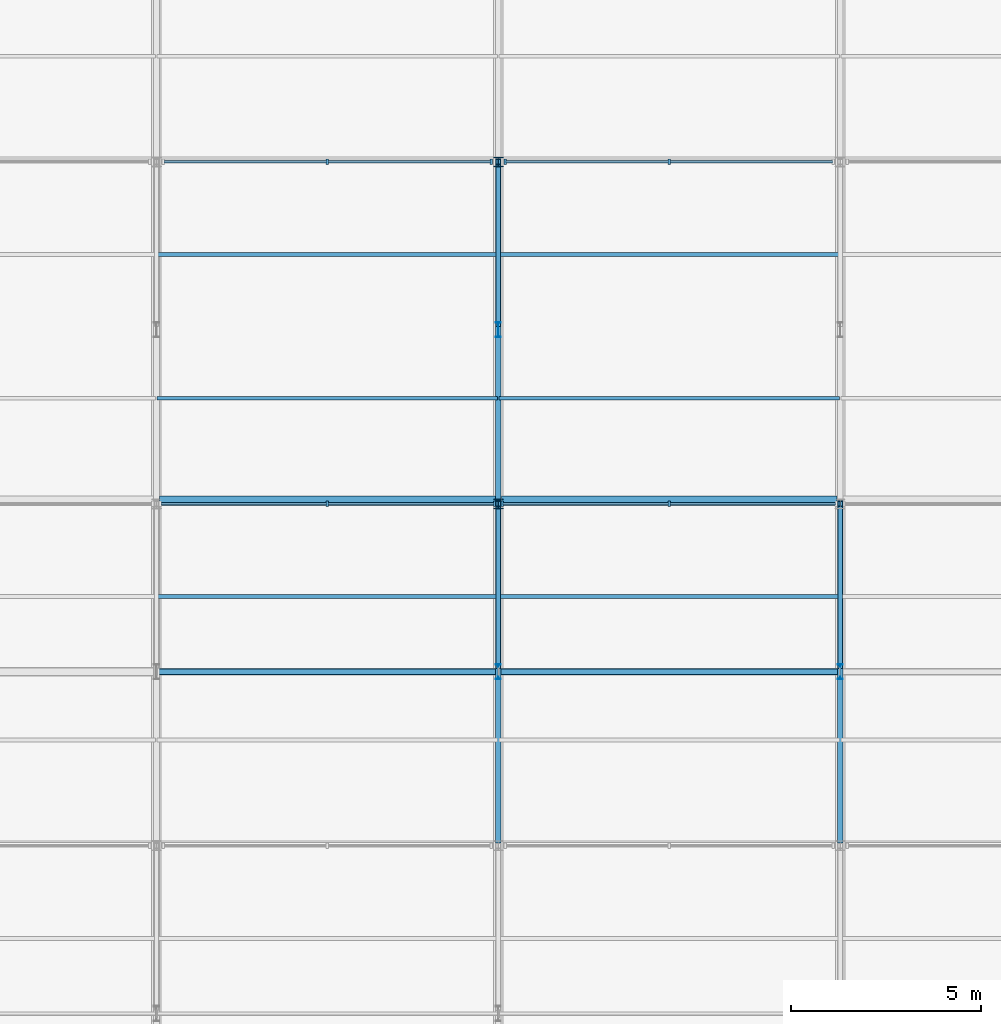
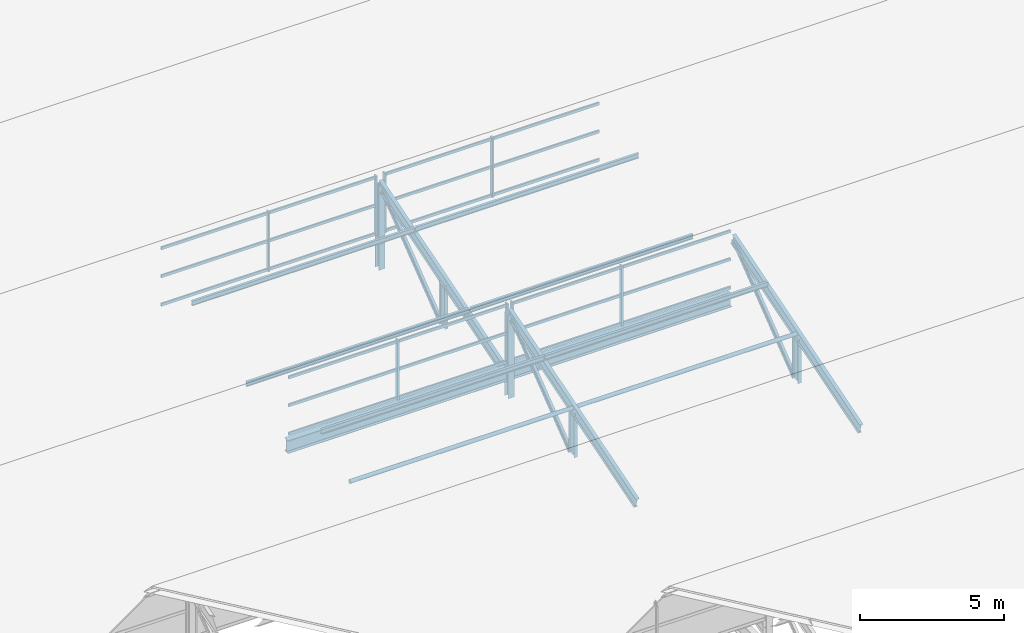
# One storey, part 65 of 163: 51 members, 2 beams, 4 elements without a shape of their own.
"""IFC4 building model written with IfcOpenShell, lengths in metres."""

from ifc_helpers import new_model, si_unit, direction, frame, origin, origin_2d, place, context, subcontext, project, spatial, rectangle, hollow_circle, i_section, extrude, material, material_profile, profile_set, type_object, element, aggregate, save


model = new_model("IFC4")

# Units and contexts
model_context = context("Model", 3, precision=1e-05, world=origin(), true_north=direction((0.0, 1.0)))
body_context = subcontext(model_context, "Body", "Model", "MODEL_VIEW")
ifc_project = project(units=[si_unit("LENGTHUNIT", "METRE"), si_unit("AREAUNIT", "SQUARE_METRE"), si_unit("VOLUMEUNIT", "CUBIC_METRE"), si_unit("PLANEANGLEUNIT", "RADIAN"), si_unit("MASSUNIT", "GRAM", prefix="KILO")], contexts=[model_context])

# Site, building, storey
site_placement = place(None, origin())
site = spatial("IfcSite", under=ifc_project, at=site_placement, CompositionType="ELEMENT")
building_placement = place(site_placement, origin())
building = spatial("IfcBuilding", under=site, at=building_placement, Name="Tharagai Park Tramway Depot", CompositionType="ELEMENT")
storey_placement = place(building_placement, frame((0.0, 0.0, 8.39990234375)))
storey = spatial("IfcBuildingStorey", under=building, at=storey_placement, Name="L02", CompositionType="ELEMENT", Elevation=8.39990234375)

# Beams
ifc_material_1 = material(Name="Steel E350", Category="steel")
ifc_material_profile_1 = material_profile(ifc_material_1, i_section(OverallWidth=0.25, OverallDepth=0.550048828125, WebThickness=0.010498046875, FlangeThickness=0.017578125, FilletRadius=0.01611328125, at=origin_2d()), Name="ISWB 550")
ifc_profile_set_1 = profile_set([ifc_material_profile_1], Name="Steel E350")
beam_type = type_object("IfcBeamType", Name="BM-04", PredefinedType="BEAM", material=ifc_profile_set_1)
for number, where, z_axis, x_axis, name in (
    (1, (63.080078125, 117.0, 0.72509765625), (1.0, 0.0, 0.0), (0.0, 1.0, 0.0), "Sawtooth Valley Girder BM-04"),
    (2, (72.080078125, 117.0, 0.72509765625), (1.0, 0.0, 0.0), (0.0, 1.0, 0.0), "Sawtooth Valley Girder BM-04"),
):
    element("IfcBeam", number, at=place(storey_placement, frame(where, z_axis=z_axis, x_axis=x_axis)), inside=storey, type_object=beam_type, Name=name, PredefinedType="BEAM", context=body_context, shape_type="SweptSolid", body=[
        extrude(i_section(OverallWidth=0.25, OverallDepth=0.550048828125, WebThickness=0.010498046875, FlangeThickness=0.017578125, FilletRadius=0.01611328125, at=origin_2d()), origin(), (0.0, 0.0, 1.0), 8.83984375),
    ])

# Members
ifc_material_profile_2 = material_profile(ifc_material_1, i_section(OverallWidth=0.25, OverallDepth=0.25, WebThickness=0.0087890625, FlangeThickness=0.009765625, FilletRadius=0.010009765625, at=origin_2d()), Name="ISHB 250")
ifc_profile_set_2 = profile_set([ifc_material_profile_2], Name="Steel E350")
member_type_1 = type_object("IfcMemberType", Name="BR-01", PredefinedType="BRACE", material=ifc_profile_set_2)
for number, where, z_axis, x_axis, name in (
    (3, (72.0, 116.919921875, -0.25), (0.0, 0.0, 1.0), (1.0, 0.0, 0.0), "Sawtooth North Vertical Post BR-01"),
    (4, (72.0, 125.919921875, -0.25), (0.0, 0.0, 1.0), (1.0, 0.0, 0.0), "Sawtooth North Vertical Post BR-01"),
):
    element("IfcMember", number, at=place(storey_placement, frame(where, z_axis=z_axis, x_axis=x_axis)), inside=storey, type_object=member_type_1, Name=name, PredefinedType="BRACE", context=body_context, shape_type="SweptSolid", body=[
        extrude(i_section(OverallWidth=0.25, OverallDepth=0.25, WebThickness=0.0087890625, FlangeThickness=0.009765625, FilletRadius=0.010009765625, at=origin_2d()), origin(), (0.0, 0.0, 1.0), 3.55517578125),
    ])
ifc_material_profile_3 = material_profile(ifc_material_1, i_section(OverallWidth=0.110107421875, OverallDepth=0.22509765625, WebThickness=0.006591796875, FlangeThickness=0.01171875, FilletRadius=0.011962890625, at=origin_2d()), Name="ISMB 225")
ifc_profile_set_3 = profile_set([ifc_material_profile_3], Name="Steel E350")
member_type_2 = type_object("IfcMemberType", Name="BR-04", PredefinedType="BRACE", material=ifc_profile_set_3)
for number, where, z_axis, x_axis, name in (
    (5, (72.0, 112.64990234375, 0.0), (0.0, 0.790781596, 0.612098413188), (-1.0, 0.0, 0.0), "Sawtooth Truss Web Diagonal BR-04"),
    (6, (72.0, 121.64990234375, 0.0), (0.0, 0.790781596, 0.612098413188), (-1.0, 0.0, 0.0), "Sawtooth Truss Web Diagonal BR-04"),
    (7, (81.0, 112.64990234375, 0.0), (0.0, 0.790781596, 0.612098413188), (-1.0, 0.0, 0.0), "Sawtooth Truss Web Diagonal BR-04"),
):
    element("IfcMember", number, at=place(storey_placement, frame(where, z_axis=z_axis, x_axis=x_axis)), inside=storey, type_object=member_type_2, Name=name, PredefinedType="BRACE", context=body_context, shape_type="SweptSolid", body=[
        extrude(i_section(OverallWidth=0.110107421875, OverallDepth=0.22509765625, WebThickness=0.006591796875, FlangeThickness=0.01171875, FilletRadius=0.011962890625, at=origin_2d()), origin(), (0.0, 0.0, 1.0), 5.399658203125),
    ])
ifc_material_profile_4 = material_profile(ifc_material_1, hollow_circle(Radius=0.084228515625, WallThickness=0.006103515625, at=origin_2d()), Name="CHS 168.3x6")
ifc_profile_set_4 = profile_set([ifc_material_profile_4], Name="Steel E350")
member_type_3 = type_object("IfcMemberType", Name="BR-07", PredefinedType="BRACE", material=ifc_profile_set_4)
for number, where, z_axis, x_axis, name in (
    (8, (63.02001953125, 112.5, 1.946533203125), (1.0, 0.0, 0.0), (0.0, 1.0, 0.0), "Sawtooth Tubular Tie Strut BR-07"),
    (9, (72.02001953125, 112.5, 1.946533203125), (1.0, 0.0, 0.0), (0.0, 1.0, 0.0), "Sawtooth Tubular Tie Strut BR-07"),
):
    element("IfcMember", number, at=place(storey_placement, frame(where, z_axis=z_axis, x_axis=x_axis)), inside=storey, type_object=member_type_3, Name=name, PredefinedType="BRACE", context=body_context, shape_type="SweptSolid", body=[
        extrude(hollow_circle(Radius=0.084228515625, WallThickness=0.006103515625, at=origin_2d()), origin(), (0.0, 0.0, 1.0), 8.9599609375),
    ])

# Curtain wall, members
ifc_material_2 = material(Name="Anodised aluminium", Category="aluminium")
curtain_wall_type_1 = type_object("IfcCurtainWallType", Name="CW-04", PredefinedType="NOTDEFINED", material=ifc_material_2)
curtain_wall_1_placement = place(storey_placement, origin())
curtain_wall_1 = element("IfcCurtainWall", 10, at=curtain_wall_1_placement, inside=storey, type_object=curtain_wall_type_1, Name="Sawtooth North-Light Clerestory CW-04", PredefinedType="NOTDEFINED")
ifc_material_profile_5 = material_profile(ifc_material_2, rectangle(XDim=0.06494140625, YDim=0.1201171875, at=origin_2d()), Name="ALU 65x120")
ifc_profile_set_5 = profile_set([ifc_material_profile_5], Name="Anodised aluminium")
member_type_4 = type_object("IfcMemberType", Name="CM-01", PredefinedType="USERDEFINED", material=ifc_profile_set_5)
member_1_placement = place(storey_placement, frame((63.114990234375, 116.919921875, 1.26513671875), z_axis=(1.0, 0.0, 0.0), x_axis=(0.0, 1.0, 0.0)))
member_1 = element("IfcMember", 11, at=member_1_placement, type_object=member_type_4, Name="Sawtooth North-Light Clerestory Transom 1.1", ObjectType="TRANSOM", PredefinedType="USERDEFINED", context=body_context, shape_type="SweptSolid", body=[
    extrude(rectangle(XDim=0.06494140625, YDim=0.1201171875, at=origin_2d()), origin(), (0.0, 0.0, 1.0), 4.3701171875),
])
member_2_placement = place(storey_placement, frame((63.114990234375, 116.919921875, 2.4736328125), z_axis=(1.0, 0.0, 0.0), x_axis=(0.0, 1.0, 0.0)))
member_2 = element("IfcMember", 12, at=member_2_placement, type_object=member_type_4, Name="Sawtooth North-Light Clerestory Transom 1.2", ObjectType="TRANSOM", PredefinedType="USERDEFINED", context=body_context, shape_type="SweptSolid", body=[
    extrude(rectangle(XDim=0.06494140625, YDim=0.1201171875, at=origin_2d()), origin(), (0.0, 0.0, 1.0), 4.3701171875),
])
member_3_placement = place(storey_placement, frame((63.114990234375, 116.919921875, 3.662353515625), z_axis=(1.0, 0.0, 0.0), x_axis=(0.0, 1.0, 0.0)))
member_3 = element("IfcMember", 13, at=member_3_placement, type_object=member_type_4, Name="Sawtooth North-Light Clerestory Transom 1.3", ObjectType="TRANSOM", PredefinedType="USERDEFINED", context=body_context, shape_type="SweptSolid", body=[
    extrude(rectangle(XDim=0.06494140625, YDim=0.1201171875, at=origin_2d()), origin(), (0.0, 0.0, 1.0), 4.3701171875),
])
member_4_placement = place(storey_placement, frame((67.514892578125, 116.919921875, 1.26513671875), z_axis=(1.0, 0.0, 0.0), x_axis=(0.0, 1.0, 0.0)))
member_4 = element("IfcMember", 14, at=member_4_placement, type_object=member_type_4, Name="Sawtooth North-Light Clerestory Transom 2.1", ObjectType="TRANSOM", PredefinedType="USERDEFINED", context=body_context, shape_type="SweptSolid", body=[
    extrude(rectangle(XDim=0.06494140625, YDim=0.1201171875, at=origin_2d()), origin(), (0.0, 0.0, 1.0), 4.3701171875),
])
member_5_placement = place(storey_placement, frame((67.514892578125, 116.919921875, 2.4736328125), z_axis=(1.0, 0.0, 0.0), x_axis=(0.0, 1.0, 0.0)))
member_5 = element("IfcMember", 15, at=member_5_placement, type_object=member_type_4, Name="Sawtooth North-Light Clerestory Transom 2.2", ObjectType="TRANSOM", PredefinedType="USERDEFINED", context=body_context, shape_type="SweptSolid", body=[
    extrude(rectangle(XDim=0.06494140625, YDim=0.1201171875, at=origin_2d()), origin(), (0.0, 0.0, 1.0), 4.3701171875),
])
member_6_placement = place(storey_placement, frame((67.514892578125, 116.919921875, 3.662353515625), z_axis=(1.0, 0.0, 0.0), x_axis=(0.0, 1.0, 0.0)))
member_6 = element("IfcMember", 16, at=member_6_placement, type_object=member_type_4, Name="Sawtooth North-Light Clerestory Transom 2.3", ObjectType="TRANSOM", PredefinedType="USERDEFINED", context=body_context, shape_type="SweptSolid", body=[
    extrude(rectangle(XDim=0.06494140625, YDim=0.1201171875, at=origin_2d()), origin(), (0.0, 0.0, 1.0), 4.3701171875),
])

curtain_wall_2_placement = place(storey_placement, origin())
curtain_wall_2 = element("IfcCurtainWall", 17, at=curtain_wall_2_placement, inside=storey, type_object=curtain_wall_type_1, Name="Sawtooth North-Light Clerestory CW-04", PredefinedType="NOTDEFINED")
member_7_placement = place(storey_placement, frame((72.114990234375, 116.919921875, 1.26513671875), z_axis=(1.0, 0.0, 0.0), x_axis=(0.0, 1.0, 0.0)))
member_7 = element("IfcMember", 18, at=member_7_placement, type_object=member_type_4, Name="Sawtooth North-Light Clerestory Transom 1.1", ObjectType="TRANSOM", PredefinedType="USERDEFINED", context=body_context, shape_type="SweptSolid", body=[
    extrude(rectangle(XDim=0.06494140625, YDim=0.1201171875, at=origin_2d()), origin(), (0.0, 0.0, 1.0), 4.3701171875),
])
member_8_placement = place(storey_placement, frame((72.114990234375, 116.919921875, 2.4736328125), z_axis=(1.0, 0.0, 0.0), x_axis=(0.0, 1.0, 0.0)))
member_8 = element("IfcMember", 19, at=member_8_placement, type_object=member_type_4, Name="Sawtooth North-Light Clerestory Transom 1.2", ObjectType="TRANSOM", PredefinedType="USERDEFINED", context=body_context, shape_type="SweptSolid", body=[
    extrude(rectangle(XDim=0.06494140625, YDim=0.1201171875, at=origin_2d()), origin(), (0.0, 0.0, 1.0), 4.3701171875),
])
member_9_placement = place(storey_placement, frame((72.114990234375, 116.919921875, 3.662353515625), z_axis=(1.0, 0.0, 0.0), x_axis=(0.0, 1.0, 0.0)))
member_9 = element("IfcMember", 20, at=member_9_placement, type_object=member_type_4, Name="Sawtooth North-Light Clerestory Transom 1.3", ObjectType="TRANSOM", PredefinedType="USERDEFINED", context=body_context, shape_type="SweptSolid", body=[
    extrude(rectangle(XDim=0.06494140625, YDim=0.1201171875, at=origin_2d()), origin(), (0.0, 0.0, 1.0), 4.3701171875),
])
member_10_placement = place(storey_placement, frame((76.514892578125, 116.919921875, 1.26513671875), z_axis=(1.0, 0.0, 0.0), x_axis=(0.0, 1.0, 0.0)))
member_10 = element("IfcMember", 21, at=member_10_placement, type_object=member_type_4, Name="Sawtooth North-Light Clerestory Transom 2.1", ObjectType="TRANSOM", PredefinedType="USERDEFINED", context=body_context, shape_type="SweptSolid", body=[
    extrude(rectangle(XDim=0.06494140625, YDim=0.1201171875, at=origin_2d()), origin(), (0.0, 0.0, 1.0), 4.3701171875),
])
member_11_placement = place(storey_placement, frame((76.514892578125, 116.919921875, 2.4736328125), z_axis=(1.0, 0.0, 0.0), x_axis=(0.0, 1.0, 0.0)))
member_11 = element("IfcMember", 22, at=member_11_placement, type_object=member_type_4, Name="Sawtooth North-Light Clerestory Transom 2.2", ObjectType="TRANSOM", PredefinedType="USERDEFINED", context=body_context, shape_type="SweptSolid", body=[
    extrude(rectangle(XDim=0.06494140625, YDim=0.1201171875, at=origin_2d()), origin(), (0.0, 0.0, 1.0), 4.3701171875),
])
member_12_placement = place(storey_placement, frame((76.514892578125, 116.919921875, 3.662353515625), z_axis=(1.0, 0.0, 0.0), x_axis=(0.0, 1.0, 0.0)))
member_12 = element("IfcMember", 23, at=member_12_placement, type_object=member_type_4, Name="Sawtooth North-Light Clerestory Transom 2.3", ObjectType="TRANSOM", PredefinedType="USERDEFINED", context=body_context, shape_type="SweptSolid", body=[
    extrude(rectangle(XDim=0.06494140625, YDim=0.1201171875, at=origin_2d()), origin(), (0.0, 0.0, 1.0), 4.3701171875),
])

curtain_wall_type_2 = type_object("IfcCurtainWallType", Name="CW-03", PredefinedType="NOTDEFINED", material=ifc_material_2)
curtain_wall_3_placement = place(storey_placement, origin())
curtain_wall_3 = element("IfcCurtainWall", 24, at=curtain_wall_3_placement, inside=storey, type_object=curtain_wall_type_2, Name="Sawtooth North-Light Clerestory CW-03", PredefinedType="NOTDEFINED")
member_13_placement = place(storey_placement, frame((63.195068359375, 125.919921875, 1.26513671875), z_axis=(1.0, 0.0, 0.0), x_axis=(0.0, 1.0, 0.0)))
member_13 = element("IfcMember", 25, at=member_13_placement, type_object=member_type_4, Name="Sawtooth North-Light Clerestory Transom 1.1", ObjectType="TRANSOM", PredefinedType="USERDEFINED", context=body_context, shape_type="SweptSolid", body=[
    extrude(rectangle(XDim=0.06494140625, YDim=0.1201171875, at=origin_2d()), origin(), (0.0, 0.0, 1.0), 4.2900390625),
])
member_14_placement = place(storey_placement, frame((63.195068359375, 125.919921875, 2.4736328125), z_axis=(1.0, 0.0, 0.0), x_axis=(0.0, 1.0, 0.0)))
member_14 = element("IfcMember", 26, at=member_14_placement, type_object=member_type_4, Name="Sawtooth North-Light Clerestory Transom 1.2", ObjectType="TRANSOM", PredefinedType="USERDEFINED", context=body_context, shape_type="SweptSolid", body=[
    extrude(rectangle(XDim=0.06494140625, YDim=0.1201171875, at=origin_2d()), origin(), (0.0, 0.0, 1.0), 4.2900390625),
])
member_15_placement = place(storey_placement, frame((63.195068359375, 125.919921875, 3.662353515625), z_axis=(1.0, 0.0, 0.0), x_axis=(0.0, 1.0, 0.0)))
member_15 = element("IfcMember", 27, at=member_15_placement, type_object=member_type_4, Name="Sawtooth North-Light Clerestory Transom 1.3", ObjectType="TRANSOM", PredefinedType="USERDEFINED", context=body_context, shape_type="SweptSolid", body=[
    extrude(rectangle(XDim=0.06494140625, YDim=0.1201171875, at=origin_2d()), origin(), (0.0, 0.0, 1.0), 4.2900390625),
])
member_16_placement = place(storey_placement, frame((67.514892578125, 125.919921875, 1.26513671875), z_axis=(1.0, 0.0, 0.0), x_axis=(0.0, 1.0, 0.0)))
member_16 = element("IfcMember", 28, at=member_16_placement, type_object=member_type_4, Name="Sawtooth North-Light Clerestory Transom 2.1", ObjectType="TRANSOM", PredefinedType="USERDEFINED", context=body_context, shape_type="SweptSolid", body=[
    extrude(rectangle(XDim=0.06494140625, YDim=0.1201171875, at=origin_2d()), origin(), (0.0, 0.0, 1.0), 4.2900390625),
])
member_17_placement = place(storey_placement, frame((67.514892578125, 125.919921875, 2.4736328125), z_axis=(1.0, 0.0, 0.0), x_axis=(0.0, 1.0, 0.0)))
member_17 = element("IfcMember", 29, at=member_17_placement, type_object=member_type_4, Name="Sawtooth North-Light Clerestory Transom 2.2", ObjectType="TRANSOM", PredefinedType="USERDEFINED", context=body_context, shape_type="SweptSolid", body=[
    extrude(rectangle(XDim=0.06494140625, YDim=0.1201171875, at=origin_2d()), origin(), (0.0, 0.0, 1.0), 4.2900390625),
])
member_18_placement = place(storey_placement, frame((67.514892578125, 125.919921875, 3.662353515625), z_axis=(1.0, 0.0, 0.0), x_axis=(0.0, 1.0, 0.0)))
member_18 = element("IfcMember", 30, at=member_18_placement, type_object=member_type_4, Name="Sawtooth North-Light Clerestory Transom 2.3", ObjectType="TRANSOM", PredefinedType="USERDEFINED", context=body_context, shape_type="SweptSolid", body=[
    extrude(rectangle(XDim=0.06494140625, YDim=0.1201171875, at=origin_2d()), origin(), (0.0, 0.0, 1.0), 4.2900390625),
])

curtain_wall_4_placement = place(storey_placement, origin())
curtain_wall_4 = element("IfcCurtainWall", 31, at=curtain_wall_4_placement, inside=storey, type_object=curtain_wall_type_2, Name="Sawtooth North-Light Clerestory CW-03", PredefinedType="NOTDEFINED")
member_19_placement = place(storey_placement, frame((72.195068359375, 125.919921875, 1.26513671875), z_axis=(1.0, 0.0, 0.0), x_axis=(0.0, 1.0, 0.0)))
member_19 = element("IfcMember", 32, at=member_19_placement, type_object=member_type_4, Name="Sawtooth North-Light Clerestory Transom 1.1", ObjectType="TRANSOM", PredefinedType="USERDEFINED", context=body_context, shape_type="SweptSolid", body=[
    extrude(rectangle(XDim=0.06494140625, YDim=0.1201171875, at=origin_2d()), origin(), (0.0, 0.0, 1.0), 4.2900390625),
])
member_20_placement = place(storey_placement, frame((72.195068359375, 125.919921875, 2.4736328125), z_axis=(1.0, 0.0, 0.0), x_axis=(0.0, 1.0, 0.0)))
member_20 = element("IfcMember", 33, at=member_20_placement, type_object=member_type_4, Name="Sawtooth North-Light Clerestory Transom 1.2", ObjectType="TRANSOM", PredefinedType="USERDEFINED", context=body_context, shape_type="SweptSolid", body=[
    extrude(rectangle(XDim=0.06494140625, YDim=0.1201171875, at=origin_2d()), origin(), (0.0, 0.0, 1.0), 4.2900390625),
])
member_21_placement = place(storey_placement, frame((72.195068359375, 125.919921875, 3.662353515625), z_axis=(1.0, 0.0, 0.0), x_axis=(0.0, 1.0, 0.0)))
member_21 = element("IfcMember", 34, at=member_21_placement, type_object=member_type_4, Name="Sawtooth North-Light Clerestory Transom 1.3", ObjectType="TRANSOM", PredefinedType="USERDEFINED", context=body_context, shape_type="SweptSolid", body=[
    extrude(rectangle(XDim=0.06494140625, YDim=0.1201171875, at=origin_2d()), origin(), (0.0, 0.0, 1.0), 4.2900390625),
])
member_22_placement = place(storey_placement, frame((76.514892578125, 125.919921875, 1.26513671875), z_axis=(1.0, 0.0, 0.0), x_axis=(0.0, 1.0, 0.0)))
member_22 = element("IfcMember", 35, at=member_22_placement, type_object=member_type_4, Name="Sawtooth North-Light Clerestory Transom 2.1", ObjectType="TRANSOM", PredefinedType="USERDEFINED", context=body_context, shape_type="SweptSolid", body=[
    extrude(rectangle(XDim=0.06494140625, YDim=0.1201171875, at=origin_2d()), origin(), (0.0, 0.0, 1.0), 4.2900390625),
])
member_23_placement = place(storey_placement, frame((76.514892578125, 125.919921875, 2.4736328125), z_axis=(1.0, 0.0, 0.0), x_axis=(0.0, 1.0, 0.0)))
member_23 = element("IfcMember", 36, at=member_23_placement, type_object=member_type_4, Name="Sawtooth North-Light Clerestory Transom 2.2", ObjectType="TRANSOM", PredefinedType="USERDEFINED", context=body_context, shape_type="SweptSolid", body=[
    extrude(rectangle(XDim=0.06494140625, YDim=0.1201171875, at=origin_2d()), origin(), (0.0, 0.0, 1.0), 4.2900390625),
])
member_24_placement = place(storey_placement, frame((76.514892578125, 125.919921875, 3.662353515625), z_axis=(1.0, 0.0, 0.0), x_axis=(0.0, 1.0, 0.0)))
member_24 = element("IfcMember", 37, at=member_24_placement, type_object=member_type_4, Name="Sawtooth North-Light Clerestory Transom 2.3", ObjectType="TRANSOM", PredefinedType="USERDEFINED", context=body_context, shape_type="SweptSolid", body=[
    extrude(rectangle(XDim=0.06494140625, YDim=0.1201171875, at=origin_2d()), origin(), (0.0, 0.0, 1.0), 4.2900390625),
])

# Member
ifc_material_profile_6 = material_profile(ifc_material_2, rectangle(XDim=0.06494140625, YDim=0.14990234375, at=origin_2d()), Name="ALU 65x150")
ifc_profile_set_6 = profile_set([ifc_material_profile_6], Name="Anodised aluminium")
member_type_5 = type_object("IfcMemberType", Name="CM-03", PredefinedType="MULLION", material=ifc_profile_set_6)
member_25_placement = place(storey_placement, frame((67.5, 116.919921875, 1.2001953125), z_axis=(0.0, 0.0, 1.0), x_axis=(1.0, 0.0, 0.0)))
member_25 = element("IfcMember", 38, at=member_25_placement, type_object=member_type_5, Name="Sawtooth North-Light Clerestory Mullion 2", PredefinedType="MULLION", context=body_context, shape_type="SweptSolid", body=[
    extrude(rectangle(XDim=0.06494140625, YDim=0.14990234375, at=origin_2d()), origin(), (0.0, 0.0, 1.0), 2.547119140625),
])

member_26_placement = place(storey_placement, frame((71.89990234375, 116.919921875, 1.2001953125), z_axis=(0.0, 0.0, 1.0), x_axis=(1.0, 0.0, 0.0)))
member_26 = element("IfcMember", 39, at=member_26_placement, type_object=member_type_5, Name="Sawtooth North-Light Clerestory Mullion 3", PredefinedType="MULLION", context=body_context, shape_type="SweptSolid", body=[
    extrude(rectangle(XDim=0.06494140625, YDim=0.14990234375, at=origin_2d()), origin(), (0.0, 0.0, 1.0), 2.547119140625),
])

aggregate(curtain_wall_1, [member_25, member_26, member_1, member_2, member_3, member_4, member_5, member_6])

member_27_placement = place(storey_placement, frame((72.10009765625, 116.919921875, 1.2001953125), z_axis=(0.0, 0.0, 1.0), x_axis=(1.0, 0.0, 0.0)))
member_27 = element("IfcMember", 40, at=member_27_placement, type_object=member_type_5, Name="Sawtooth North-Light Clerestory Mullion 1", PredefinedType="MULLION", context=body_context, shape_type="SweptSolid", body=[
    extrude(rectangle(XDim=0.06494140625, YDim=0.14990234375, at=origin_2d()), origin(), (0.0, 0.0, 1.0), 2.547119140625),
])

member_28_placement = place(storey_placement, frame((76.5, 116.919921875, 1.2001953125), z_axis=(0.0, 0.0, 1.0), x_axis=(1.0, 0.0, 0.0)))
member_28 = element("IfcMember", 41, at=member_28_placement, type_object=member_type_5, Name="Sawtooth North-Light Clerestory Mullion 2", PredefinedType="MULLION", context=body_context, shape_type="SweptSolid", body=[
    extrude(rectangle(XDim=0.06494140625, YDim=0.14990234375, at=origin_2d()), origin(), (0.0, 0.0, 1.0), 2.547119140625),
])

aggregate(curtain_wall_2, [member_27, member_28, member_7, member_8, member_9, member_10, member_11, member_12])

member_29_placement = place(storey_placement, frame((67.5, 125.919921875, 1.2001953125), z_axis=(0.0, 0.0, 1.0), x_axis=(1.0, 0.0, 0.0)))
member_29 = element("IfcMember", 42, at=member_29_placement, type_object=member_type_5, Name="Sawtooth North-Light Clerestory Mullion 2", PredefinedType="MULLION", context=body_context, shape_type="SweptSolid", body=[
    extrude(rectangle(XDim=0.06494140625, YDim=0.14990234375, at=origin_2d()), origin(), (0.0, 0.0, 1.0), 2.547119140625),
])

member_30_placement = place(storey_placement, frame((71.820068359375, 125.919921875, 1.2001953125), z_axis=(0.0, 0.0, 1.0), x_axis=(1.0, 0.0, 0.0)))
member_30 = element("IfcMember", 43, at=member_30_placement, type_object=member_type_5, Name="Sawtooth North-Light Clerestory Mullion 3", PredefinedType="MULLION", context=body_context, shape_type="SweptSolid", body=[
    extrude(rectangle(XDim=0.06494140625, YDim=0.14990234375, at=origin_2d()), origin(), (0.0, 0.0, 1.0), 2.547119140625),
])

aggregate(curtain_wall_3, [member_29, member_30, member_13, member_14, member_15, member_16, member_17, member_18])

member_31_placement = place(storey_placement, frame((72.179931640625, 125.919921875, 1.2001953125), z_axis=(0.0, 0.0, 1.0), x_axis=(1.0, 0.0, 0.0)))
member_31 = element("IfcMember", 44, at=member_31_placement, type_object=member_type_5, Name="Sawtooth North-Light Clerestory Mullion 1", PredefinedType="MULLION", context=body_context, shape_type="SweptSolid", body=[
    extrude(rectangle(XDim=0.06494140625, YDim=0.14990234375, at=origin_2d()), origin(), (0.0, 0.0, 1.0), 2.547119140625),
])

member_32_placement = place(storey_placement, frame((76.5, 125.919921875, 1.2001953125), z_axis=(0.0, 0.0, 1.0), x_axis=(1.0, 0.0, 0.0)))
member_32 = element("IfcMember", 45, at=member_32_placement, type_object=member_type_5, Name="Sawtooth North-Light Clerestory Mullion 2", PredefinedType="MULLION", context=body_context, shape_type="SweptSolid", body=[
    extrude(rectangle(XDim=0.06494140625, YDim=0.14990234375, at=origin_2d()), origin(), (0.0, 0.0, 1.0), 2.547119140625),
])

aggregate(curtain_wall_4, [member_31, member_32, member_19, member_20, member_21, member_22, member_23, member_24])

# Members
ifc_material_3 = material(Name="Steel E250", Category="steel")
ifc_material_profile_7 = material_profile(ifc_material_3, i_section(OverallWidth=0.10009765625, OverallDepth=0.199951171875, WebThickness=0.00537109375, FlangeThickness=0.00732421875, FilletRadius=0.009033203125, at=origin_2d()), Name="ISLB 200")
ifc_profile_set_7 = profile_set([ifc_material_profile_7], Name="Steel E250")
member_type_6 = type_object("IfcMemberType", Name="PR-03", PredefinedType="PURLIN", material=ifc_profile_set_7)
for number, where, z_axis, x_axis, name in (
    (46, (63.02001953125, 119.699951171875, 1.733154296875), (1.0, 0.0, 0.0), (0.0, 1.0, 0.0), "Sawtooth Roof Purlin PR-03"),
    (47, (63.02001953125, 123.47998046875, 2.87451171875), (1.0, 0.0, 0.0), (0.0, 1.0, 0.0), "Sawtooth Roof Purlin PR-03"),
    (48, (72.02001953125, 119.699951171875, 1.733154296875), (1.0, 0.0, 0.0), (0.0, 1.0, 0.0), "Sawtooth Roof Purlin PR-03"),
    (49, (72.02001953125, 123.47998046875, 2.87451171875), (1.0, 0.0, 0.0), (0.0, 1.0, 0.0), "Sawtooth Roof Purlin PR-03"),
):
    element("IfcMember", number, at=place(storey_placement, frame(where, z_axis=z_axis, x_axis=x_axis)), inside=storey, type_object=member_type_6, Name=name, PredefinedType="PURLIN", context=body_context, shape_type="SweptSolid", body=[
        extrude(i_section(OverallWidth=0.10009765625, OverallDepth=0.199951171875, WebThickness=0.00537109375, FlangeThickness=0.00732421875, FilletRadius=0.009033203125, at=origin_2d()), origin(), (0.0, 0.0, 1.0), 8.9599609375),
    ])
ifc_material_profile_8 = material_profile(ifc_material_3, i_section(OverallWidth=0.10009765625, OverallDepth=0.199951171875, WebThickness=0.005615234375, FlangeThickness=0.0107421875, FilletRadius=0.010986328125, at=origin_2d()), Name="ISMB 200")
ifc_profile_set_8 = profile_set([ifc_material_profile_8], Name="Steel E250")
member_type_7 = type_object("IfcMemberType", Name="PR-04", PredefinedType="PURLIN", material=ifc_profile_set_8)
for number, where, z_axis, x_axis, name in (
    (50, (63.02001953125, 114.47998046875, 2.87451171875), (1.0, 0.0, 0.0), (0.0, 1.0, 0.0), "Sawtooth Roof Purlin PR-04"),
    (51, (72.02001953125, 114.47998046875, 2.87451171875), (1.0, 0.0, 0.0), (0.0, 1.0, 0.0), "Sawtooth Roof Purlin PR-04"),
):
    element("IfcMember", number, at=place(storey_placement, frame(where, z_axis=z_axis, x_axis=x_axis)), inside=storey, type_object=member_type_7, Name=name, PredefinedType="PURLIN", context=body_context, shape_type="SweptSolid", body=[
        extrude(i_section(OverallWidth=0.10009765625, OverallDepth=0.199951171875, WebThickness=0.005615234375, FlangeThickness=0.0107421875, FilletRadius=0.010986328125, at=origin_2d()), origin(), (0.0, 0.0, 1.0), 8.9599609375),
    ])
ifc_material_profile_9 = material_profile(ifc_material_1, i_section(OverallWidth=0.14990234375, OverallDepth=0.449951171875, WebThickness=0.009521484375, FlangeThickness=0.017333984375, FilletRadius=0.014892578125, at=origin_2d()), Name="ISMB 450")
ifc_profile_set_9 = profile_set([ifc_material_profile_9], Name="Steel E350")
member_type_8 = type_object("IfcMemberType", Name="TC-05", PredefinedType="CHORD", material=ifc_profile_set_9)
for number, where, z_axis, x_axis, name in (
    (52, (72.0, 108.06005859375, 0.587890625), (0.0, 0.956231486327, 0.29261125159), (-1.0, 0.0, 0.0), "Sawtooth Top Chord TC-05"),
    (53, (72.0, 117.06005859375, 0.587890625), (0.0, 0.956231486327, 0.29261125159), (-1.0, 0.0, 0.0), "Sawtooth Top Chord TC-05"),
    (54, (81.0, 108.06005859375, 0.587890625), (0.0, 0.956231486327, 0.29261125159), (-1.0, 0.0, 0.0), "Sawtooth Top Chord TC-05"),
):
    element("IfcMember", number, at=place(storey_placement, frame(where, z_axis=z_axis, x_axis=x_axis)), inside=storey, type_object=member_type_8, Name=name, PredefinedType="CHORD", context=body_context, shape_type="SweptSolid", body=[
        extrude(i_section(OverallWidth=0.14990234375, OverallDepth=0.449951171875, WebThickness=0.009521484375, FlangeThickness=0.017333984375, FilletRadius=0.014892578125, at=origin_2d()), origin(), (0.0, 0.0, 1.0), 9.286376953125),
    ])
ifc_material_profile_10 = material_profile(ifc_material_1, i_section(OverallWidth=0.139892578125, OverallDepth=0.39990234375, WebThickness=0.0087890625, FlangeThickness=0.01611328125, FilletRadius=0.013916015625, at=origin_2d()), Name="ISMB 400")
ifc_profile_set_10 = profile_set([ifc_material_profile_10], Name="Steel E350")
member_type_9 = type_object("IfcMemberType", Name="TC-06", PredefinedType="CHORD", material=ifc_profile_set_10)
for number, where, z_axis, x_axis, name in (
    (55, (72.0, 112.5, -0.0498046875), (0.0, 0.0, 1.0), (1.0, 0.0, 0.0), "Sawtooth Mid-Tooth Strut TC-06"),
    (56, (72.0, 121.5, -0.0498046875), (0.0, 0.0, 1.0), (1.0, 0.0, 0.0), "Sawtooth Mid-Tooth Strut TC-06"),
    (57, (81.0, 112.5, -0.0498046875), (0.0, 0.0, 1.0), (1.0, 0.0, 0.0), "Sawtooth Mid-Tooth Strut TC-06"),
):
    element("IfcMember", number, at=place(storey_placement, frame(where, z_axis=z_axis, x_axis=x_axis)), inside=storey, type_object=member_type_9, Name=name, PredefinedType="CHORD", context=body_context, shape_type="SweptSolid", body=[
        extrude(i_section(OverallWidth=0.139892578125, OverallDepth=0.39990234375, WebThickness=0.0087890625, FlangeThickness=0.01611328125, FilletRadius=0.013916015625, at=origin_2d()), origin(), (0.0, 0.0, 1.0), 1.846435546875),
    ])

save(model, "model.ifc")
